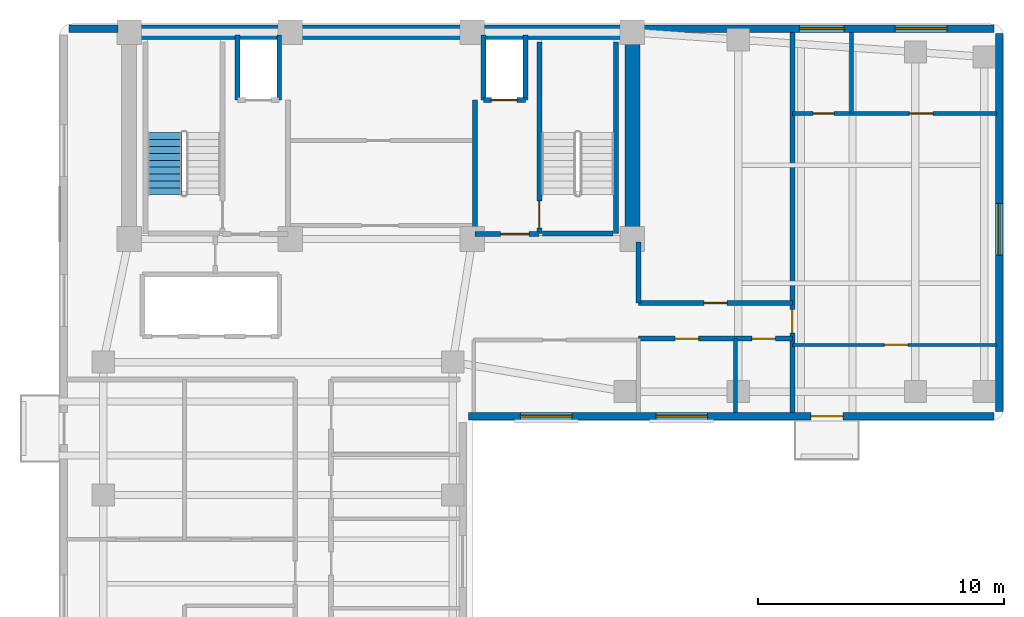
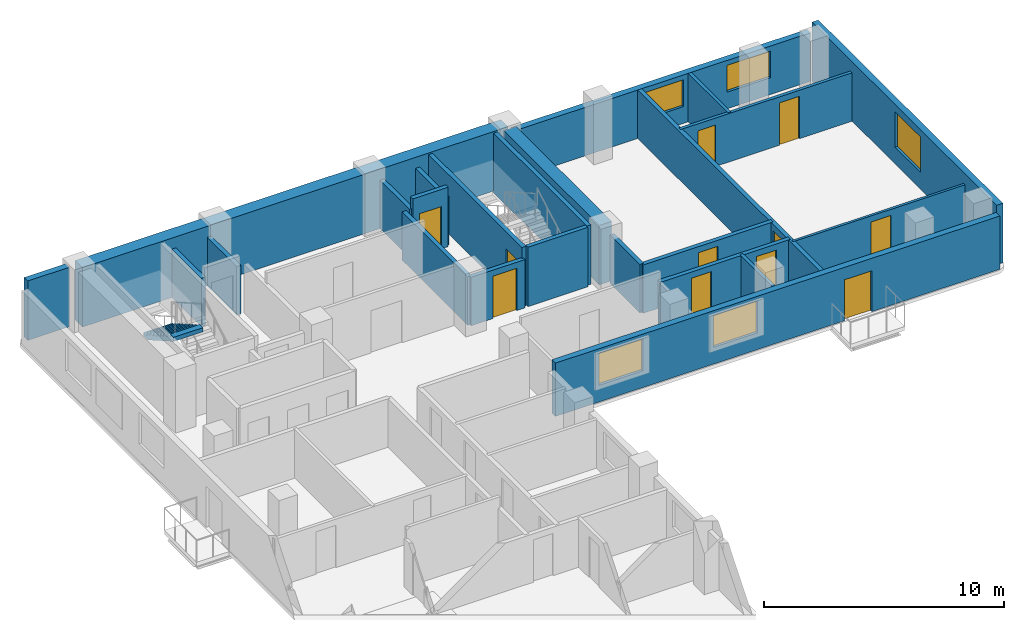
# One storey, part 4 of 7: 24 walls, 11 doors, 5 windows, 1 stair flight, 16 openings, 1 element without a shape of its own.
"""IFC4 building model written with IfcOpenShell, lengths in metres."""

from ifc_helpers import new_model, si_unit, direction, frame, frame_2d, origin, place, context, subcontext, project, spatial, polyline, rectangle, outline, extrude, material, layer, layer_set, type_object, element, fill, aggregate, save


model = new_model("IFC4")

# Units and contexts
model_context = context("Model", 3, precision=1e-05, world=origin(), true_north=direction((0.0, 1.0)))
body_context = subcontext(model_context, "Body", "Model", "MODEL_VIEW")
ifc_project = project(units=[si_unit("LENGTHUNIT", "METRE"), si_unit("AREAUNIT", "SQUARE_METRE"), si_unit("VOLUMEUNIT", "CUBIC_METRE"), si_unit("PLANEANGLEUNIT", "RADIAN"), si_unit("MASSUNIT", "GRAM", prefix="KILO")], contexts=[model_context])

# Site, building, storey
site_placement = place(None, origin())
site = spatial("IfcSite", under=ifc_project, at=site_placement, CompositionType="ELEMENT")
building_placement = place(site_placement, origin())
building = spatial("IfcBuilding", under=site, at=building_placement, Name="Kuzgunbayir Cultural Tower", CompositionType="ELEMENT")
storey_placement = place(building_placement, frame((0.0, 0.0, 176.0)))
storey = spatial("IfcBuildingStorey", under=building, at=storey_placement, Name="L51", CompositionType="ELEMENT", Elevation=176.0)

# Walls
ifc_material_1 = material(Name="Concrete C60/75", Category="concrete")
ifc_layer_1 = layer(ifc_material_1, 0.60009765625)
ifc_layer_set_1 = layer_set([ifc_layer_1], Name="Concrete C60/75")
wall_type_1 = type_object("IfcWallType", Name="WAL-CORE-600", PredefinedType="SHEAR", material=ifc_layer_set_1)
wall_1_placement = place(storey_placement, frame((6.449951171875, 42.199951171875, 0.0), z_axis=(0.0, 0.0, 1.0), x_axis=(1.0, 0.0, 0.0)))
element("IfcWall", 1, at=wall_1_placement, inside=storey, type_object=wall_type_1, Name="L51 T1 Core North Shear Wall", PredefinedType="SHEAR", context=body_context, shape_type="SweptSolid", body=[
    extrude(rectangle(XDim=20.449951171875, YDim=0.60009765625, at=frame_2d((10.22509765625, 0.0))), origin(), (0.0, 0.0, 1.0), 3.02001953125),
])
wall_2_placement = place(storey_placement, frame((26.89990234375, 33.800048828125, 0.0), z_axis=(0.0, 0.0, 1.0), x_axis=(0.0, 1.0, 0.0)))
element("IfcWall", 2, at=wall_2_placement, inside=storey, type_object=wall_type_1, Name="L51 T1 Core East Shear Wall", PredefinedType="SHEAR", context=body_context, shape_type="SweptSolid", body=[
    extrude(rectangle(XDim=7.949951171875, YDim=0.60009765625, at=frame_2d((3.97509765625, 0.0))), origin(), (0.0, 0.0, 1.0), 3.02001953125),
])

# Wall, openings, windows
ifc_material_2 = material(Name="Anatolian Cream Limestone", Category="masonry")
ifc_layer_2 = layer(ifc_material_2, 0.300048828125)
ifc_layer_set_2 = layer_set([ifc_layer_2], Name="Anatolian Cream Limestone")
wall_type_2 = type_object("IfcWallType", Name="WAL-EXT-STONE-300", PredefinedType="STANDARD", material=ifc_layer_set_2)
wall_3_placement = place(storey_placement, frame((41.60009765625, 42.35009765625, 0.0), z_axis=(0.0, 0.0, 1.0), x_axis=(-1.0, 0.0, 0.0)))
wall_3 = element("IfcWall", 3, at=wall_3_placement, inside=storey, type_object=wall_type_2, Name="L51 North Wing B Limestone Wall", PredefinedType="STANDARD", context=body_context, shape_type="SweptSolid", body=[
    extrude(rectangle(XDim=14.25, YDim=0.300048828125, at=frame_2d((7.125, 0.0))), origin(), (0.0, 0.0, 1.0), 2.4599609375),
])
opening_1_placement = place(wall_3_placement, frame((6.10009765625, 0.0, 0.85009765625)))
opening_1 = element("IfcOpeningElement", 4, at=opening_1_placement, cuts=wall_3, Name="Opening WH-18", PredefinedType="OPENING", context=body_context, shape_type="SweptSolid", body=[
    extrude(rectangle(XDim=1.800048828125, YDim=1.360107421875, at=frame_2d((0.89990234375, 0.68017578125))), frame((0.0, 0.16015625, 0.0), z_axis=(0.0, -1.0, 0.0), x_axis=(1.0, 0.0, 0.0)), (0.0, 0.0, 1.0), 0.320068359375),
])
opening_2_placement = place(wall_3_placement, frame((1.919921875, 0.0, 0.85009765625)))
opening_2 = element("IfcOpeningElement", 5, at=opening_2_placement, cuts=wall_3, Name="Opening WR-21", PredefinedType="OPENING", context=body_context, shape_type="SweptSolid", body=[
    extrude(rectangle(XDim=2.10009765625, YDim=1.360107421875, at=frame_2d((1.050048828125, 0.68017578125))), frame((0.0, 0.16015625, 0.0), z_axis=(0.0, -1.0, 0.0), x_axis=(1.0, 0.0, 0.0)), (0.0, 0.0, 1.0), 0.320068359375),
])
ifc_material_3 = material(Name="Solar-Control Triple Glazing", Category="glass")
window_type_1 = type_object("IfcWindowType", Name="WIN-HOTEL-18", PartitioningType="SINGLE_PANEL", PredefinedType="WINDOW", material=ifc_material_3)
window_1_placement = place(opening_1_placement, origin())
window_1 = element("IfcWindow", 6, at=window_1_placement, inside=storey, type_object=window_type_1, Name="L51 CRN Facade Window 6", OverallHeight=1.360107421875, OverallWidth=1.800048828125, PartitioningType="SINGLE_PANEL", PredefinedType="WINDOW", context=body_context, shape_type="SweptSolid", body=[
    extrude(rectangle(XDim=1.800048828125, YDim=1.360107421875, at=frame_2d((0.89990234375, 0.68017578125))), frame((0.0, 0.030029296875, 0.0), z_axis=(0.0, -1.0, 0.0), x_axis=(1.0, 0.0, 0.0)), (0.0, 0.0, 1.0), 0.06005859375),
])
fill(opening_1, window_1)
window_type_2 = type_object("IfcWindowType", Name="WIN-RESID-21", PartitioningType="SINGLE_PANEL", PredefinedType="WINDOW", material=ifc_material_3)
window_2_placement = place(opening_2_placement, origin())
window_2 = element("IfcWindow", 7, at=window_2_placement, inside=storey, type_object=window_type_2, Name="L51 CRN Facade Window 7", OverallHeight=1.360107421875, OverallWidth=2.10009765625, PartitioningType="SINGLE_PANEL", PredefinedType="WINDOW", context=body_context, shape_type="SweptSolid", body=[
    extrude(rectangle(XDim=2.10009765625, YDim=1.360107421875, at=frame_2d((1.050048828125, 0.68017578125))), frame((0.0, 0.030029296875, 0.0), z_axis=(0.0, -1.0, 0.0), x_axis=(1.0, 0.0, 0.0)), (0.0, 0.0, 1.0), 0.06005859375),
])
fill(opening_2, window_2)

# Wall
wall_4_placement = place(storey_placement, frame((6.0, 42.35009765625, 0.0), z_axis=(0.0, 0.0, 1.0), x_axis=(-1.0, 0.0, 0.0)))
element("IfcWall", 8, at=wall_4_placement, inside=storey, type_object=wall_type_2, Name="L51 Core North-West Spandrel Link", PredefinedType="STANDARD", context=body_context, shape_type="SweptSolid", body=[
    extrude(rectangle(XDim=2.0, YDim=0.300048828125, at=frame_2d((1.0, 0.0))), origin(), (0.0, 0.0, 1.0), 3.02001953125),
])

# Wall, openings, door, windows
wall_5_placement = place(storey_placement, frame((20.25, 26.60009765625, 0.0), z_axis=(0.0, 0.0, 1.0), x_axis=(1.0, 0.0, 0.0)))
wall_5 = element("IfcWall", 9, at=wall_5_placement, inside=storey, type_object=wall_type_2, Name="L51 Wing B South Limestone Wall", PredefinedType="STANDARD", context=body_context, shape_type="SweptSolid", body=[
    extrude(rectangle(XDim=21.35009765625, YDim=0.300048828125, at=frame_2d((10.675048828125, 0.0))), origin(), (0.0, 0.0, 1.0), 2.7099609375),
])
opening_3_placement = place(wall_5_placement, frame((13.89990234375, 0.0, 0.0)))
opening_3 = element("IfcOpeningElement", 10, at=opening_3_placement, cuts=wall_5, Name="Opening BD-13", PredefinedType="OPENING", context=body_context, shape_type="SweptSolid", body=[
    extrude(rectangle(XDim=1.300048828125, YDim=2.080078125, at=frame_2d((0.64990234375, 1.0400390625))), frame((0.0, 0.16015625, 0.0), z_axis=(0.0, -1.0, 0.0), x_axis=(1.0, 0.0, 0.0)), (0.0, 0.0, 1.0), 0.320068359375),
])
opening_4_placement = place(wall_5_placement, frame((2.10009765625, 0.0, 0.85009765625)))
opening_4 = element("IfcOpeningElement", 11, at=opening_4_placement, cuts=wall_5, Name="Opening WR-21", PredefinedType="OPENING", context=body_context, shape_type="SweptSolid", body=[
    extrude(rectangle(XDim=2.10009765625, YDim=1.610107421875, at=frame_2d((1.050048828125, 0.80517578125))), frame((0.0, 0.16015625, 0.0), z_axis=(0.0, -1.0, 0.0), x_axis=(1.0, 0.0, 0.0)), (0.0, 0.0, 1.0), 0.320068359375),
])
opening_5_placement = place(wall_5_placement, frame((7.60009765625, 0.0, 0.85009765625)))
opening_5 = element("IfcOpeningElement", 12, at=opening_5_placement, cuts=wall_5, Name="Opening WR-21", PredefinedType="OPENING", context=body_context, shape_type="SweptSolid", body=[
    extrude(rectangle(XDim=2.10009765625, YDim=1.610107421875, at=frame_2d((1.050048828125, 0.80517578125))), frame((0.0, 0.16015625, 0.0), z_axis=(0.0, -1.0, 0.0), x_axis=(1.0, 0.0, 0.0)), (0.0, 0.0, 1.0), 0.320068359375),
])
ifc_material_4 = material(Name="Thermally Broken Glazed Aluminium", Category="aluminium")
door_type_1 = type_object("IfcDoorType", Name="DR-BALCONY-135", OperationType="SLIDING_TO_LEFT", PredefinedType="DOOR", material=ifc_material_4)
door_1_placement = place(opening_3_placement, origin())
door_1 = element("IfcDoor", 13, at=door_1_placement, inside=storey, type_object=door_type_1, Name="L51 South Balcony Sliding Door BAL-L51-WB2", OperationType="SLIDING_TO_LEFT", OverallHeight=2.080078125, OverallWidth=1.300048828125, PredefinedType="DOOR", context=body_context, shape_type="SweptSolid", body=[
    extrude(rectangle(XDim=1.300048828125, YDim=2.080078125, at=frame_2d((0.64990234375, 1.0400390625))), frame((0.0, 0.02490234375, 0.0), z_axis=(0.0, -1.0, 0.0), x_axis=(1.0, 0.0, 0.0)), (0.0, 0.0, 1.0), 0.050048828125),
])
fill(opening_3, door_1)
window_3_placement = place(opening_4_placement, origin())
window_3 = element("IfcWindow", 14, at=window_3_placement, inside=storey, type_object=window_type_2, Name="L51 WBS Facade Window 12", OverallHeight=1.610107421875, OverallWidth=2.10009765625, PartitioningType="SINGLE_PANEL", PredefinedType="WINDOW", context=body_context, shape_type="SweptSolid", body=[
    extrude(rectangle(XDim=2.10009765625, YDim=1.610107421875, at=frame_2d((1.050048828125, 0.80517578125))), frame((0.0, 0.030029296875, 0.0), z_axis=(0.0, -1.0, 0.0), x_axis=(1.0, 0.0, 0.0)), (0.0, 0.0, 1.0), 0.06005859375),
])
fill(opening_4, window_3)
window_4_placement = place(opening_5_placement, origin())
window_4 = element("IfcWindow", 15, at=window_4_placement, inside=storey, type_object=window_type_2, Name="L51 WBS Facade Window 13", OverallHeight=1.610107421875, OverallWidth=2.10009765625, PartitioningType="SINGLE_PANEL", PredefinedType="WINDOW", context=body_context, shape_type="SweptSolid", body=[
    extrude(rectangle(XDim=2.10009765625, YDim=1.610107421875, at=frame_2d((1.050048828125, 0.80517578125))), frame((0.0, 0.030029296875, 0.0), z_axis=(0.0, -1.0, 0.0), x_axis=(1.0, 0.0, 0.0)), (0.0, 0.0, 1.0), 0.06005859375),
])
fill(opening_5, window_4)

# Wall, opening, window
wall_6_placement = place(storey_placement, frame((41.800048828125, 26.800048828125, 0.0), z_axis=(0.0, 0.0, 1.0), x_axis=(0.0, 1.0, 0.0)))
wall_6 = element("IfcWall", 16, at=wall_6_placement, inside=storey, type_object=wall_type_2, Name="L51 Wing B East Limestone Wall", PredefinedType="STANDARD", context=body_context, shape_type="SweptSolid", body=[
    extrude(rectangle(XDim=15.349853515625, YDim=0.300048828125, at=frame_2d((7.6748046875, 0.0))), origin(), (0.0, 0.0, 1.0), 3.02001953125),
])
opening_6_placement = place(wall_6_placement, frame((6.35009765625, 0.0, 0.85009765625)))
opening_6 = element("IfcOpeningElement", 17, at=opening_6_placement, cuts=wall_6, Name="Opening WR-21", PredefinedType="OPENING", context=body_context, shape_type="SweptSolid", body=[
    extrude(rectangle(XDim=2.10009765625, YDim=1.800048828125, at=frame_2d((1.050048828125, 0.89990234375))), frame((0.0, 0.16015625, 0.0), z_axis=(0.0, -1.0, 0.0), x_axis=(1.0, 0.0, 0.0)), (0.0, 0.0, 1.0), 0.320068359375),
])
window_5_placement = place(opening_6_placement, origin())
window_5 = element("IfcWindow", 18, at=window_5_placement, inside=storey, type_object=window_type_2, Name="L51 WBE Facade Window 5", OverallHeight=1.800048828125, OverallWidth=2.10009765625, PartitioningType="SINGLE_PANEL", PredefinedType="WINDOW", context=body_context, shape_type="SweptSolid", body=[
    extrude(rectangle(XDim=2.10009765625, YDim=1.800048828125, at=frame_2d((1.050048828125, 0.89990234375))), frame((0.0, 0.030029296875, 0.0), z_axis=(0.0, -1.0, 0.0), x_axis=(1.0, 0.0, 0.0)), (0.0, 0.0, 1.0), 0.06005859375),
])
fill(opening_6, window_5)

# Walls
ifc_material_5 = material(Name="Acoustic Double-Stud Drywall", Category="gypsum")
ifc_layer_3 = layer(ifc_material_5, 0.14990234375)
ifc_layer_set_3 = layer_set([ifc_layer_3], Name="Acoustic Double-Stud Drywall")
wall_type_3 = type_object("IfcWallType", Name="WAL-PART-ACOUSTIC-150", PredefinedType="PARTITIONING", material=ifc_layer_set_3)
wall_7_placement = place(storey_placement, frame((31.090087890625, 26.75, 0.0), z_axis=(0.0, 0.0, 1.0), x_axis=(0.0, 1.0, 0.0)))
element("IfcWall", 19, at=wall_7_placement, inside=storey, type_object=wall_type_3, Name="L51 Wing B South Divider 1", PredefinedType="PARTITIONING", context=body_context, shape_type="SweptSolid", body=[
    extrude(rectangle(XDim=3.0, YDim=0.14990234375, at=frame_2d((1.5, 0.0))), origin(), (0.0, 0.0, 1.0), 2.4599609375),
])
ifc_material_6 = material(Name="Aerated Concrete Blockwork", Category="masonry")
ifc_layer_4 = layer(ifc_material_6, 0.199951171875)
ifc_layer_set_4 = layer_set([ifc_layer_4], Name="Aerated Concrete Blockwork")
wall_type_4 = type_object("IfcWallType", Name="WAL-PART-FIRE-200", PredefinedType="PARTITIONING", material=ifc_layer_set_4)
wall_8_placement = place(storey_placement, frame((20.5, 34.0, 0.0), z_axis=(0.0, 0.0, 1.0), x_axis=(0.0, 1.0, 0.0)))
element("IfcWall", 20, at=wall_8_placement, inside=storey, type_object=wall_type_4, Name="L51 FFL-2 Lobby West Fire Wall", PredefinedType="PARTITIONING", context=body_context, shape_type="SweptSolid", body=[
    extrude(rectangle(XDim=5.449951171875, YDim=0.199951171875, at=frame_2d((2.72509765625, 0.0))), origin(), (0.0, 0.0, 1.0), 2.4599609375),
])

# Wall, opening, door
wall_9_placement = place(storey_placement, frame((20.5, 34.0, 0.0), z_axis=(0.0, 0.0, 1.0), x_axis=(1.0, 0.0, 0.0)))
wall_9 = element("IfcWall", 21, at=wall_9_placement, inside=storey, type_object=wall_type_4, Name="L51 FFL-2 Lobby South Fire Wall", PredefinedType="PARTITIONING", context=body_context, shape_type="SweptSolid", body=[
    extrude(rectangle(XDim=2.60009765625, YDim=0.199951171875, at=frame_2d((1.300048828125, 0.0))), origin(), (0.0, 0.0, 1.0), 2.4599609375),
])
opening_7_placement = place(wall_9_placement, frame((1.050048828125, 0.0, 0.0)))
opening_7 = element("IfcOpeningElement", 22, at=opening_7_placement, cuts=wall_9, Name="Opening DR-FFL-90", PredefinedType="OPENING", context=body_context, shape_type="SweptSolid", body=[
    extrude(rectangle(XDim=1.14990234375, YDim=2.14990234375, at=frame_2d((0.574951171875, 1.074951171875))), frame((0.0, 0.10986328125, 0.0), z_axis=(0.0, -1.0, 0.0), x_axis=(1.0, 0.0, 0.0)), (0.0, 0.0, 1.0), 0.219970703125),
])
ifc_material_7 = material(Name="Steel S355J2", Category="steel")
door_type_2 = type_object("IfcDoorType", Name="DR-FFL-90", OperationType="NOTDEFINED", PredefinedType="DOOR", material=ifc_material_7)
door_2_placement = place(opening_7_placement, origin())
door_2 = element("IfcDoor", 23, at=door_2_placement, inside=storey, type_object=door_type_2, Name="L51 Firefighting Lobby 2 Door", OperationType="SINGLE_SWING_LEFT", OverallHeight=2.14990234375, OverallWidth=1.14990234375, PredefinedType="DOOR", context=body_context, shape_type="SweptSolid", body=[
    extrude(rectangle(XDim=1.14990234375, YDim=2.14990234375, at=frame_2d((0.574951171875, 1.074951171875))), frame((0.0, 0.02490234375, 0.0), z_axis=(0.0, -1.0, 0.0), x_axis=(1.0, 0.0, 0.0)), (0.0, 0.0, 1.0), 0.050048828125),
])
fill(opening_7, door_2)

# Wall, openings, doors
wall_10_placement = place(storey_placement, frame((27.14990234375, 29.75, 0.0), z_axis=(0.0, 0.0, 1.0), x_axis=(1.0, 0.0, 0.0)))
wall_10 = element("IfcWall", 24, at=wall_10_placement, inside=storey, type_object=wall_type_4, Name="L51 Wing B Residence Corridor South Wall", PredefinedType="PARTITIONING", context=body_context, shape_type="SweptSolid", body=[
    extrude(rectangle(XDim=6.25, YDim=0.199951171875, at=frame_2d((3.125, 0.0))), origin(), (0.0, 0.0, 1.0), 2.4599609375),
])
opening_8_placement = place(wall_10_placement, frame((1.489990234375, 0.0, 0.0)))
opening_8 = element("IfcOpeningElement", 25, at=opening_8_placement, cuts=wall_10, Name="Opening DI-90", PredefinedType="OPENING", context=body_context, shape_type="SweptSolid", body=[
    extrude(rectangle(XDim=0.949951171875, YDim=2.14990234375, at=frame_2d((0.47509765625, 1.074951171875))), frame((0.0, 0.10986328125, 0.0), z_axis=(0.0, -1.0, 0.0), x_axis=(1.0, 0.0, 0.0)), (0.0, 0.0, 1.0), 0.219970703125),
])
opening_9_placement = place(wall_10_placement, frame((4.610107421875, 0.0, 0.0)))
opening_9 = element("IfcOpeningElement", 26, at=opening_9_placement, cuts=wall_10, Name="Opening DI-90", PredefinedType="OPENING", context=body_context, shape_type="SweptSolid", body=[
    extrude(rectangle(XDim=0.949951171875, YDim=2.14990234375, at=frame_2d((0.47509765625, 1.074951171875))), frame((0.0, 0.10986328125, 0.0), z_axis=(0.0, -1.0, 0.0), x_axis=(1.0, 0.0, 0.0)), (0.0, 0.0, 1.0), 0.219970703125),
])
ifc_material_8 = material(Name="Veneered Oak Single Leaf", Category="wood")
door_type_3 = type_object("IfcDoorType", Name="DR-INT-90", OperationType="NOTDEFINED", PredefinedType="DOOR", material=ifc_material_8)
door_3_placement = place(opening_8_placement, origin())
door_3 = element("IfcDoor", 27, at=door_3_placement, inside=storey, type_object=door_type_3, Name="L51 Wing B Art Publication Salon 1 Door", OperationType="SINGLE_SWING_RIGHT", OverallHeight=2.14990234375, OverallWidth=0.949951171875, PredefinedType="DOOR", context=body_context, shape_type="SweptSolid", body=[
    extrude(rectangle(XDim=0.949951171875, YDim=2.14990234375, at=frame_2d((0.47509765625, 1.074951171875))), frame((0.0, 0.02490234375, 0.0), z_axis=(0.0, -1.0, 0.0), x_axis=(1.0, 0.0, 0.0)), (0.0, 0.0, 1.0), 0.050048828125),
])
fill(opening_8, door_3)
door_4_placement = place(opening_9_placement, origin())
door_4 = element("IfcDoor", 28, at=door_4_placement, inside=storey, type_object=door_type_3, Name="L51 Wing B Art Publication Salon 2 Door", OperationType="SINGLE_SWING_LEFT", OverallHeight=2.14990234375, OverallWidth=0.949951171875, PredefinedType="DOOR", context=body_context, shape_type="SweptSolid", body=[
    extrude(rectangle(XDim=0.949951171875, YDim=2.14990234375, at=frame_2d((0.47509765625, 1.074951171875))), frame((0.0, 0.02490234375, 0.0), z_axis=(0.0, -1.0, 0.0), x_axis=(1.0, 0.0, 0.0)), (0.0, 0.0, 1.0), 0.050048828125),
])
fill(opening_9, door_4)

# Wall, opening, door
wall_11_placement = place(storey_placement, frame((27.14990234375, 31.199951171875, 0.0), z_axis=(0.0, 0.0, 1.0), x_axis=(1.0, 0.0, 0.0)))
wall_11 = element("IfcWall", 29, at=wall_11_placement, inside=storey, type_object=wall_type_4, Name="L51 Wing B Residence Corridor North Wall", PredefinedType="PARTITIONING", context=body_context, shape_type="SweptSolid", body=[
    extrude(rectangle(XDim=6.25, YDim=0.199951171875, at=frame_2d((3.125, 0.0))), origin(), (0.0, 0.0, 1.0), 2.4599609375),
])
opening_10_placement = place(wall_11_placement, frame((2.64990234375, 0.0, 0.0)))
opening_10 = element("IfcOpeningElement", 30, at=opening_10_placement, cuts=wall_11, Name="Opening DI-90", PredefinedType="OPENING", context=body_context, shape_type="SweptSolid", body=[
    extrude(rectangle(XDim=0.949951171875, YDim=2.14990234375, at=frame_2d((0.47509765625, 1.074951171875))), frame((0.0, 0.10986328125, 0.0), z_axis=(0.0, -1.0, 0.0), x_axis=(1.0, 0.0, 0.0)), (0.0, 0.0, 1.0), 0.219970703125),
])
door_5_placement = place(opening_10_placement, origin())
door_5 = element("IfcDoor", 31, at=door_5_placement, inside=storey, type_object=door_type_3, Name="L51 Residents Culinary Tasting Pantry 1 Door", OperationType="SINGLE_SWING_RIGHT", OverallHeight=2.14990234375, OverallWidth=0.949951171875, PredefinedType="DOOR", context=body_context, shape_type="SweptSolid", body=[
    extrude(rectangle(XDim=0.949951171875, YDim=2.14990234375, at=frame_2d((0.47509765625, 1.074951171875))), frame((0.0, 0.02490234375, 0.0), z_axis=(0.0, -1.0, 0.0), x_axis=(1.0, 0.0, 0.0)), (0.0, 0.0, 1.0), 0.050048828125),
])
fill(opening_10, door_5)

# Wall
wall_12_placement = place(storey_placement, frame((27.14990234375, 31.199951171875, 0.0), z_axis=(0.0, 0.0, 1.0), x_axis=(0.0, 1.0, 0.0)))
element("IfcWall", 32, at=wall_12_placement, inside=storey, type_object=wall_type_4, Name="L51 Wing B Residence North Core Closure Wall", PredefinedType="PARTITIONING", context=body_context, shape_type="SweptSolid", body=[
    extrude(rectangle(XDim=2.47998046875, YDim=0.199951171875, at=frame_2d((1.239990234375, 0.0))), origin(), (0.0, 0.0, 1.0), 2.4599609375),
])

# Wall, opening, door
wall_13_placement = place(storey_placement, frame((33.39990234375, 26.75, 0.0), z_axis=(0.0, 0.0, 1.0), x_axis=(0.0, 1.0, 0.0)))
wall_13 = element("IfcWall", 33, at=wall_13_placement, inside=storey, type_object=wall_type_4, Name="L51 Apartment D Party Wall", PredefinedType="PARTITIONING", context=body_context, shape_type="SweptSolid", body=[
    extrude(rectangle(XDim=15.449951171875, YDim=0.199951171875, at=frame_2d((7.72509765625, 0.0))), origin(), (0.0, 0.0, 1.0), 2.4599609375),
])
opening_11_placement = place(wall_13_placement, frame((3.239990234375, 0.0, 0.0)))
opening_11 = element("IfcOpeningElement", 34, at=opening_11_placement, cuts=wall_13, Name="Opening DR-APT-60", PredefinedType="OPENING", context=body_context, shape_type="SweptSolid", body=[
    extrude(rectangle(XDim=0.949951171875, YDim=2.14990234375, at=frame_2d((0.47509765625, 1.074951171875))), frame((0.0, 0.10986328125, 0.0), z_axis=(0.0, -1.0, 0.0), x_axis=(1.0, 0.0, 0.0)), (0.0, 0.0, 1.0), 0.219970703125),
])
ifc_material_9 = material(Name="Acoustic Fire Timber Leaf", Category="wood")
door_type_4 = type_object("IfcDoorType", Name="DR-APT-60", OperationType="NOTDEFINED", PredefinedType="DOOR", material=ifc_material_9)
door_6_placement = place(opening_11_placement, origin())
door_6 = element("IfcDoor", 35, at=door_6_placement, inside=storey, type_object=door_type_4, Name="L51 Apartment D Entrance", OperationType="SINGLE_SWING_RIGHT", OverallHeight=2.14990234375, OverallWidth=0.949951171875, PredefinedType="DOOR", context=body_context, shape_type="SweptSolid", body=[
    extrude(rectangle(XDim=0.949951171875, YDim=2.14990234375, at=frame_2d((0.47509765625, 1.074951171875))), frame((0.0, 0.02490234375, 0.0), z_axis=(0.0, -1.0, 0.0), x_axis=(1.0, 0.0, 0.0)), (0.0, 0.0, 1.0), 0.050048828125),
])
fill(opening_11, door_6)

ifc_material_10 = material(Name="Framed Gypsum Partition", Category="gypsum")
ifc_layer_5 = layer(ifc_material_10, 0.1201171875)
ifc_layer_set_5 = layer_set([ifc_layer_5], Name="Framed Gypsum Partition")
wall_type_5 = type_object("IfcWallType", Name="WAL-PART-INT-120", PredefinedType="PARTITIONING", material=ifc_layer_set_5)
wall_14_placement = place(storey_placement, frame((33.39990234375, 29.5, 0.0), z_axis=(0.0, 0.0, 1.0), x_axis=(1.0, 0.0, 0.0)))
wall_14 = element("IfcWall", 36, at=wall_14_placement, inside=storey, type_object=wall_type_5, Name="L51 Flat D Bedroom Wall", PredefinedType="PARTITIONING", context=body_context, shape_type="SweptSolid", body=[
    extrude(rectangle(XDim=8.300048828125, YDim=0.1201171875, at=frame_2d((4.14990234375, 0.0))), origin(), (0.0, 0.0, 1.0), 2.4599609375),
])
opening_12_placement = place(wall_14_placement, frame((3.739990234375, 0.0, 0.0)))
opening_12 = element("IfcOpeningElement", 37, at=opening_12_placement, cuts=wall_14, Name="Opening DI-90", PredefinedType="OPENING", context=body_context, shape_type="SweptSolid", body=[
    extrude(rectangle(XDim=0.949951171875, YDim=2.14990234375, at=frame_2d((0.47509765625, 1.074951171875))), frame((0.0, 0.070068359375, 0.0), z_axis=(0.0, -1.0, 0.0), x_axis=(1.0, 0.0, 0.0)), (0.0, 0.0, 1.0), 0.14013671875),
])
door_7_placement = place(opening_12_placement, origin())
door_7 = element("IfcDoor", 38, at=door_7_placement, inside=storey, type_object=door_type_3, Name="L51 Apartment D Bedroom Door", OperationType="SINGLE_SWING_LEFT", OverallHeight=2.14990234375, OverallWidth=0.949951171875, PredefinedType="DOOR", context=body_context, shape_type="SweptSolid", body=[
    extrude(rectangle(XDim=0.949951171875, YDim=2.14990234375, at=frame_2d((0.47509765625, 1.074951171875))), frame((0.0, 0.02490234375, 0.0), z_axis=(0.0, -1.0, 0.0), x_axis=(1.0, 0.0, 0.0)), (0.0, 0.0, 1.0), 0.050048828125),
])
fill(opening_12, door_7)

# Wall, openings, doors
ifc_material_11 = material(Name="Moisture-Resistant Tile Partition", Category="gypsum")
ifc_layer_6 = layer(ifc_material_11, 0.14990234375)
ifc_layer_set_6 = layer_set([ifc_layer_6], Name="Moisture-Resistant Tile Partition")
wall_type_6 = type_object("IfcWallType", Name="WAL-PART-WET-150", PredefinedType="PARTITIONING", material=ifc_layer_set_6)
wall_15_placement = place(storey_placement, frame((33.39990234375, 38.89990234375, 0.0), z_axis=(0.0, 0.0, 1.0), x_axis=(1.0, 0.0, 0.0)))
wall_15 = element("IfcWall", 39, at=wall_15_placement, inside=storey, type_object=wall_type_6, Name="L51 Flat D Service Wall", PredefinedType="PARTITIONING", context=body_context, shape_type="SweptSolid", body=[
    extrude(rectangle(XDim=8.300048828125, YDim=0.14990234375, at=frame_2d((4.14990234375, 0.0))), origin(), (0.0, 0.0, 1.0), 2.4599609375),
])
opening_13_placement = place(wall_15_placement, frame((0.840087890625, 0.0, 0.0)))
opening_13 = element("IfcOpeningElement", 40, at=opening_13_placement, cuts=wall_15, Name="Opening DW-85", PredefinedType="OPENING", context=body_context, shape_type="SweptSolid", body=[
    extrude(rectangle(XDim=0.85009765625, YDim=2.10009765625, at=frame_2d((0.425048828125, 1.050048828125))), frame((0.0, 0.0849609375, 0.0), z_axis=(0.0, -1.0, 0.0), x_axis=(1.0, 0.0, 0.0)), (0.0, 0.0, 1.0), 0.169921875),
])
opening_14_placement = place(wall_15_placement, frame((4.760009765625, 0.0, 0.0)))
opening_14 = element("IfcOpeningElement", 41, at=opening_14_placement, cuts=wall_15, Name="Opening DI-90", PredefinedType="OPENING", context=body_context, shape_type="SweptSolid", body=[
    extrude(rectangle(XDim=0.949951171875, YDim=2.14990234375, at=frame_2d((0.47509765625, 1.074951171875))), frame((0.0, 0.0849609375, 0.0), z_axis=(0.0, -1.0, 0.0), x_axis=(1.0, 0.0, 0.0)), (0.0, 0.0, 1.0), 0.169921875),
])
door_8_placement = place(opening_14_placement, origin())
door_8 = element("IfcDoor", 42, at=door_8_placement, inside=storey, type_object=door_type_3, Name="L51 Apartment D Kitchen Door", OperationType="SINGLE_SWING_LEFT", OverallHeight=2.14990234375, OverallWidth=0.949951171875, PredefinedType="DOOR", context=body_context, shape_type="SweptSolid", body=[
    extrude(rectangle(XDim=0.949951171875, YDim=2.14990234375, at=frame_2d((0.47509765625, 1.074951171875))), frame((0.0, 0.02490234375, 0.0), z_axis=(0.0, -1.0, 0.0), x_axis=(1.0, 0.0, 0.0)), (0.0, 0.0, 1.0), 0.050048828125),
])
fill(opening_14, door_8)
ifc_material_12 = material(Name="Laminate Moisture-Resistant Leaf", Category="wood")
door_type_5 = type_object("IfcDoorType", Name="DR-WET-85", OperationType="NOTDEFINED", PredefinedType="DOOR", material=ifc_material_12)
door_9_placement = place(opening_13_placement, origin())
door_9 = element("IfcDoor", 43, at=door_9_placement, inside=storey, type_object=door_type_5, Name="L51 Apartment D Bathroom Door", OperationType="SINGLE_SWING_RIGHT", OverallHeight=2.10009765625, OverallWidth=0.85009765625, PredefinedType="DOOR", context=body_context, shape_type="SweptSolid", body=[
    extrude(rectangle(XDim=0.85009765625, YDim=2.10009765625, at=frame_2d((0.425048828125, 1.050048828125))), frame((0.0, 0.02490234375, 0.0), z_axis=(0.0, -1.0, 0.0), x_axis=(1.0, 0.0, 0.0)), (0.0, 0.0, 1.0), 0.050048828125),
])
fill(opening_13, door_9)

# Wall
wall_16_placement = place(storey_placement, frame((35.800048828125, 38.89990234375, 0.0), z_axis=(0.0, 0.0, 1.0), x_axis=(0.0, 1.0, 0.0)))
element("IfcWall", 44, at=wall_16_placement, inside=storey, type_object=wall_type_6, Name="L51 Flat D Bath Divider", PredefinedType="PARTITIONING", context=body_context, shape_type="SweptSolid", body=[
    extrude(rectangle(XDim=3.300048828125, YDim=0.14990234375, at=frame_2d((1.64990234375, 0.0))), origin(), (0.0, 0.0, 1.0), 2.4599609375),
])

# Wall, opening, door
ifc_material_13 = material(Name="Concrete C40/50", Category="concrete")
ifc_layer_7 = layer(ifc_material_13, 0.199951171875)
ifc_layer_set_7 = layer_set([ifc_layer_7], Name="Concrete C40/50")
wall_type_7 = type_object("IfcWallType", Name="WAL-SHAFT-200", PredefinedType="MOVABLE", material=ifc_layer_set_7)
wall_17_placement = place(storey_placement, frame((20.85009765625, 39.449951171875, 0.0), z_axis=(0.0, 0.0, 1.0), x_axis=(1.0, 0.0, 0.0)))
wall_17 = element("IfcWall", 45, at=wall_17_placement, inside=storey, type_object=wall_type_7, Name="L51 FFL-2 Lift Front Wall", PredefinedType="MOVABLE", context=body_context, shape_type="SweptSolid", body=[
    extrude(rectangle(XDim=1.699951171875, YDim=0.199951171875, at=frame_2d((0.85009765625, 0.0))), origin(), (0.0, 0.0, 1.0), 3.02001953125),
])
opening_15_placement = place(wall_17_placement, frame((0.320068359375, 0.0, 0.0)))
opening_15 = element("IfcOpeningElement", 46, at=opening_15_placement, cuts=wall_17, Name="Opening LD", PredefinedType="OPENING", context=body_context, shape_type="SweptSolid", body=[
    extrude(rectangle(XDim=1.050048828125, YDim=2.14990234375, at=frame_2d((0.52490234375, 1.074951171875))), frame((0.0, 0.10986328125, 0.0), z_axis=(0.0, -1.0, 0.0), x_axis=(1.0, 0.0, 0.0)), (0.0, 0.0, 1.0), 0.219970703125),
])
ifc_material_14 = material(Name="Brushed Stainless Steel", Category="steel")
door_type_6 = type_object("IfcDoorType", Name="DR-LIFT-LANDING", OperationType="SLIDING_TO_LEFT", PredefinedType="DOOR", material=ifc_material_14)
door_10_placement = place(opening_15_placement, origin())
door_10 = element("IfcDoor", 47, at=door_10_placement, inside=storey, type_object=door_type_6, Name="L51 Lift FFL-2 Landing Door", OperationType="SLIDING_TO_LEFT", OverallHeight=2.14990234375, OverallWidth=1.050048828125, PredefinedType="DOOR", context=body_context, shape_type="SweptSolid", body=[
    extrude(rectangle(XDim=1.050048828125, YDim=2.14990234375, at=frame_2d((0.52490234375, 1.074951171875))), frame((0.0, 0.02490234375, 0.0), z_axis=(0.0, -1.0, 0.0), x_axis=(1.0, 0.0, 0.0)), (0.0, 0.0, 1.0), 0.050048828125),
])
fill(opening_15, door_10)

# Walls
for number, where, z_axis, x_axis, name in (
    (48, (10.85009765625, 39.449951171875, 0.0), (0.0, 0.0, 1.0), (0.0, 1.0, 0.0), "L51 FFL-1 Shaft West Wall"),
    (49, (12.550048828125, 39.449951171875, 0.0), (0.0, 0.0, 1.0), (0.0, 1.0, 0.0), "L51 FFL-1 Shaft East Wall"),
    (50, (20.85009765625, 39.449951171875, 0.0), (0.0, 0.0, 1.0), (0.0, 1.0, 0.0), "L51 FFL-2 Shaft West Wall"),
    (51, (22.550048828125, 39.449951171875, 0.0), (0.0, 0.0, 1.0), (0.0, 1.0, 0.0), "L51 FFL-2 Shaft East Wall"),
):
    element("IfcWall", number, at=place(storey_placement, frame(where, z_axis=z_axis, x_axis=x_axis)), inside=storey, type_object=wall_type_7, Name=name, PredefinedType="MOVABLE", context=body_context, shape_type="SweptSolid", body=[
        extrude(rectangle(XDim=2.650146484375, YDim=0.199951171875, at=frame_2d((1.3251953125, 0.0))), origin(), (0.0, 0.0, 1.0), 2.4599609375),
    ])

# Wall, opening, door
ifc_layer_8 = layer(ifc_material_13, 0.199951171875)
ifc_layer_set_8 = layer_set([ifc_layer_8], Name="Concrete C40/50")
wall_type_8 = type_object("IfcWallType", Name="WAL-STAIR-RC-200", PredefinedType="SHEAR", material=ifc_layer_set_8)
wall_18_placement = place(storey_placement, frame((23.1201171875, 34.02001953125, 0.0), z_axis=(0.0, 0.0, 1.0), x_axis=(0.0, 1.0, 0.0)))
wall_18 = element("IfcWall", 52, at=wall_18_placement, inside=storey, type_object=wall_type_8, Name="L51 Stair ST-2 West Structural Wall", PredefinedType="SHEAR", context=body_context, shape_type="SweptSolid", body=[
    extrude(rectangle(XDim=7.780029296875, YDim=0.199951171875, at=frame_2d((3.89013671875, 0.0))), origin(), (0.0, 0.0, 1.0), 3.02001953125),
])
opening_16_placement = place(wall_18_placement, frame((0.219970703125, 0.0, 0.0)))
opening_16 = element("IfcOpeningElement", 53, at=opening_16_placement, cuts=wall_18, Name="Opening DR-STAIR-90", PredefinedType="OPENING", context=body_context, shape_type="SweptSolid", body=[
    extrude(rectangle(XDim=1.10009765625, YDim=2.14990234375, at=frame_2d((0.550048828125, 1.074951171875))), frame((0.0, 0.10986328125, 0.0), z_axis=(0.0, -1.0, 0.0), x_axis=(1.0, 0.0, 0.0)), (0.0, 0.0, 1.0), 0.219970703125),
])
door_type_7 = type_object("IfcDoorType", Name="DR-STAIR-90", OperationType="NOTDEFINED", PredefinedType="DOOR", material=ifc_material_7)
door_11_placement = place(opening_16_placement, origin())
door_11 = element("IfcDoor", 54, at=door_11_placement, inside=storey, type_object=door_type_7, Name="L51 Stair ST-2 Fire Door", OperationType="SINGLE_SWING_LEFT", OverallHeight=2.14990234375, OverallWidth=1.10009765625, PredefinedType="DOOR", context=body_context, shape_type="SweptSolid", body=[
    extrude(rectangle(XDim=1.10009765625, YDim=2.14990234375, at=frame_2d((0.550048828125, 1.074951171875))), frame((0.0, 0.02490234375, 0.0), z_axis=(0.0, -1.0, 0.0), x_axis=(1.0, 0.0, 0.0)), (0.0, 0.0, 1.0), 0.050048828125),
])
fill(opening_16, door_11)

# Walls
wall_19_placement = place(storey_placement, frame((26.239990234375, 34.02001953125, 0.0), z_axis=(0.0, 0.0, 1.0), x_axis=(0.0, 1.0, 0.0)))
element("IfcWall", 55, at=wall_19_placement, inside=storey, type_object=wall_type_8, Name="L51 Stair ST-2 East Structural Wall", PredefinedType="SHEAR", context=body_context, shape_type="SweptSolid", body=[
    extrude(rectangle(XDim=7.780029296875, YDim=0.199951171875, at=frame_2d((3.89013671875, 0.0))), origin(), (0.0, 0.0, 1.0), 3.02001953125),
])
wall_20_placement = place(storey_placement, frame((23.239990234375, 34.02001953125, 0.0), z_axis=(0.0, 0.0, 1.0), x_axis=(1.0, 0.0, 0.0)))
element("IfcWall", 56, at=wall_20_placement, inside=storey, type_object=wall_type_8, Name="L51 Stair ST-2 South Structural Wall", PredefinedType="SHEAR", context=body_context, shape_type="SweptSolid", body=[
    extrude(rectangle(XDim=2.880126953125, YDim=0.199951171875, at=frame_2d((1.43994140625, 0.0))), origin(), (0.0, 0.0, 1.0), 3.02001953125),
])

# Stair, stair flight
stair_type = type_object("IfcStairType", Name="STR-EXIT-CORE", PredefinedType="HALF_TURN_STAIR", material=ifc_material_13)
stair_placement = place(storey_placement, origin())
stair = element("IfcStair", 57, at=stair_placement, inside=storey, type_object=stair_type, Name="L51 ST-1", PredefinedType="HALF_TURN_STAIR")
stair_flight_type = type_object("IfcStairFlightType", Name="STRF-RC-140", PredefinedType="STRAIGHT", material=ifc_material_13)
stair_flight_placement = place(storey_placement, frame((7.89990234375, 38.1201171875, 1.60009765625), z_axis=(0.0, 0.0, 1.0), x_axis=(0.0, -1.0, 0.0)))
stair_flight = element("IfcStairFlight", 58, at=stair_flight_placement, type_object=stair_flight_type, Name="ST-1 flight 2", NumberOfRisers=10, NumberOfTreads=9, PredefinedType="STRAIGHT", RiserHeight=0.16, TreadLength=0.28, context=body_context, shape_type="SweptSolid", body=[
    extrude(outline(polyline([(0.0, 0.0), (0.0, 0.159912109375), (0.280029296875, 0.159912109375), (0.280029296875, 0.320068359375), (0.56005859375, 0.320068359375), (0.56005859375, 0.47998046875), (0.840087890625, 0.47998046875), (0.840087890625, 0.639892578125), (1.1201171875, 0.639892578125), (1.1201171875, 0.800048828125), (1.39990234375, 0.800048828125), (1.39990234375, 0.9599609375), (1.679931640625, 0.9599609375), (1.679931640625, 1.1201171875), (1.9599609375, 1.1201171875), (1.9599609375, 1.280029296875), (2.239990234375, 1.280029296875), (2.239990234375, 1.43994140625), (2.52001953125, 1.43994140625), (2.52001953125, 1.60009765625), (2.52001953125, 1.232666015625), (0.362548828125, 0.0), (0.0, 0.0)])), frame((0.0, 0.699951171875, 0.0), z_axis=(0.0, -1.0, 0.0), x_axis=(1.0, 0.0, 0.0)), (0.0, 0.0, 1.0), 1.39990234375),
])
aggregate(stair, [stair_flight])

save(model, "model.ifc")
